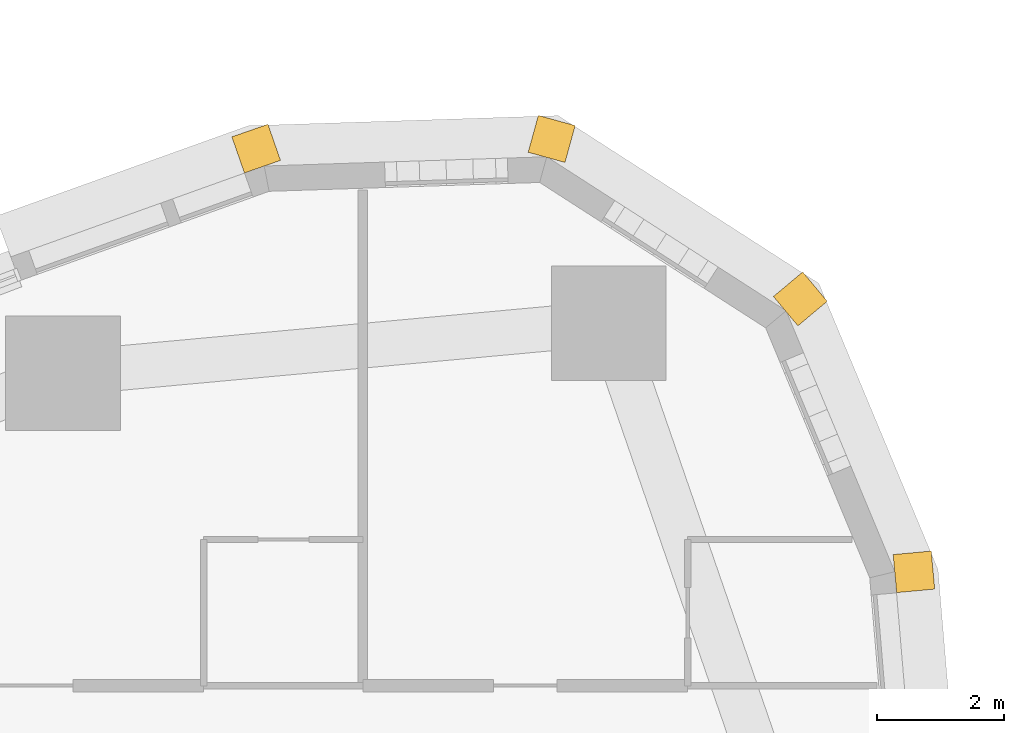
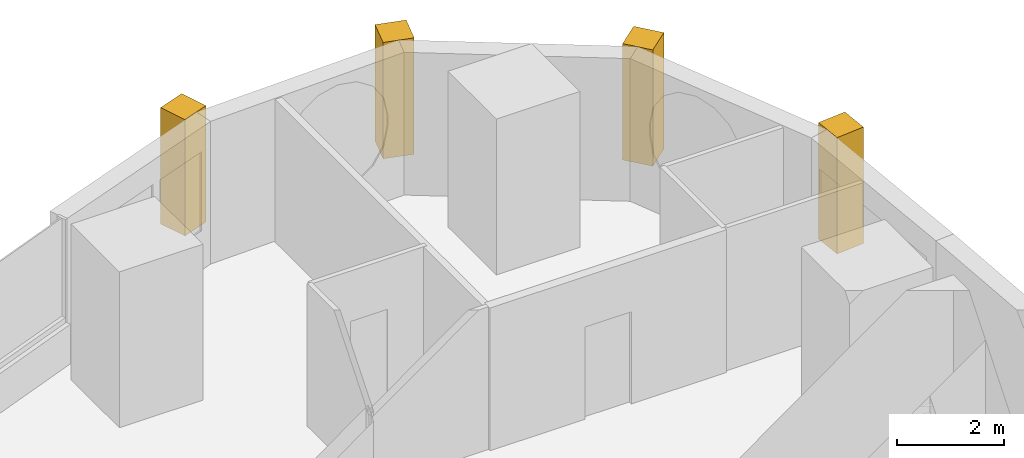
# One storey, part 19 of 19: 4 coverings.
"""IFC4 building model written with IfcOpenShell, lengths in metres."""

import ifcopenshell
import ifcopenshell.guid

model = None  # the IFC model being written
_history = None  # IfcOwnerHistory: only IFC2X3 demands one
_inside = {}  # id of a spatial element -> (the spatial element, [elements in it])
_under = {}  # id of a project, library or spatial element -> (it, [spatial elements below it])
_declared = {}  # id of a project -> (the project, [libraries it declares])
_typed = {}  # id of a type object -> (the type object, [elements of that type])
_made_of = {}  # id of a material, layer set ... -> (it, [elements and type objects made of it])


def new_model(schema):
    """Start an empty IFC model of exactly this schema.

    Asked for "IFC4X3", IfcOpenShell would pick the latest addendum, in which some entities
    have other attributes; the version numbers below select the first issue.
    IFC2X3 requires an IfcOwnerHistory on every rooted entity: one is made here for all.
    """
    global model, _history
    if schema == "IFC4X3":
        model = ifcopenshell.file(schema_version=(4, 3, 0, 0))
    else:
        model = ifcopenshell.file(schema=schema)
    _inside.clear()
    _under.clear()
    _declared.clear()
    _typed.clear()
    _made_of.clear()
    _history = None
    if model.schema == "IFC2X3":
        org = make("IfcOrganization", Name="unknown")
        user = make(
            "IfcPersonAndOrganization",
            ThePerson=make("IfcPerson", FamilyName="unknown"),
            TheOrganization=org,
        )
        app = make(
            "IfcApplication",
            ApplicationDeveloper=org,
            Version="unknown",
            ApplicationFullName="unknown",
            ApplicationIdentifier="unknown",
        )
        _history = make(
            "IfcOwnerHistory",
            OwningUser=user,
            OwningApplication=app,
            ChangeAction="ADDED",
            CreationDate=0,
        )
    return model


def make(cls, **values):
    """One entity of the class cls with the attributes given. An attribute that is None is left unset."""
    return model.create_entity(
        cls, **{name: value for name, value in values.items() if value is not None}
    )


def rooted(cls, **values):
    """An entity with a GlobalId (a new one), such as an element, a storey or a relation."""
    return make(cls, GlobalId=ifcopenshell.guid.new(), OwnerHistory=_history, **values)


def si_unit(unit_type, name, prefix=None):
    """IfcSIUnit, for example si_unit("LENGTHUNIT", "METRE", prefix="MILLI")."""
    return make("IfcSIUnit", UnitType=unit_type, Prefix=prefix, Name=name)


def assignment(units):
    """IfcUnitAssignment: the units of a project."""
    return None if units is None else make("IfcUnitAssignment", Units=units)


def point(xyz):
    """IfcCartesianPoint."""
    return None if xyz is None else make("IfcCartesianPoint", Coordinates=xyz)


def direction(xyz):
    """IfcDirection."""
    return None if xyz is None else make("IfcDirection", DirectionRatios=xyz)


def frame(location, z_axis=None, x_axis=None):
    """IfcAxis2Placement3D, a coordinate frame: its origin and axes. An axis left out is left unset."""
    return make(
        "IfcAxis2Placement3D",
        Location=point(location),
        Axis=direction(z_axis),
        RefDirection=direction(x_axis),
    )


def frame_2d(location, x_axis=None):
    """IfcAxis2Placement2D, a coordinate frame in the plane: its origin and x axis."""
    return make(
        "IfcAxis2Placement2D", Location=point(location), RefDirection=direction(x_axis)
    )


def origin():
    """The frame at (0, 0, 0) with its axes left unset."""
    return frame((0.0, 0.0, 0.0))


def place(relative_to, where):
    """IfcLocalPlacement: puts the frame where relative to a parent placement (None: the world)."""
    return make(
        "IfcLocalPlacement", PlacementRelTo=relative_to, RelativePlacement=where
    )


def context(
    kind, dimensions, precision=None, world=None, true_north=None, identifier=None
):
    """IfcGeometricRepresentationContext, for example the 3D "Model" context."""
    return make(
        "IfcGeometricRepresentationContext",
        ContextIdentifier=identifier,
        ContextType=kind,
        CoordinateSpaceDimension=dimensions,
        Precision=precision,
        WorldCoordinateSystem=world,
        TrueNorth=true_north,
    )


def subcontext(parent, identifier, kind, view, scale=None):
    """IfcGeometricRepresentationSubContext, for example "Body" below "Model"."""
    return make(
        "IfcGeometricRepresentationSubContext",
        ContextIdentifier=identifier,
        ContextType=kind,
        ParentContext=parent,
        TargetScale=scale,
        TargetView=view,
    )


def project(units=None, contexts=None):
    """IfcProject with its units and contexts."""
    return rooted(
        "IfcProject",
        Name="project",
        RepresentationContexts=contexts,
        UnitsInContext=assignment(units),
    )


def spatial(cls, under=None, at=None, **own):
    """A site, building, storey or space (cls), placed at a placement, below another one or the project."""
    s = rooted(cls, ObjectPlacement=at, **own)
    if under is not None:
        _under.setdefault(under.id(), (under, []))[1].append(s)
    return s


def profile(cls, at=None, kind="AREA", **sizes):
    """A parametric profile (cls). Its sizes go by their IFC names, for example OverallWidth=200.0."""
    return make(cls, ProfileType=kind, Position=at, **sizes)


def rectangle(**sizes):
    """IfcRectangleProfileDef."""
    return profile("IfcRectangleProfileDef", **sizes)


def extrude(swept, where, along, depth):
    """IfcExtrudedAreaSolid: the profile swept, set in the frame where, extruded along a direction by depth."""
    return make(
        "IfcExtrudedAreaSolid",
        SweptArea=swept,
        Position=where,
        ExtrudedDirection=direction(along),
        Depth=depth,
    )


def shape(context_of_items, identifier, shape_type, items):
    """IfcShapeRepresentation: the items that make up one representation, for example the "Body"."""
    return make(
        "IfcShapeRepresentation",
        ContextOfItems=context_of_items,
        RepresentationIdentifier=identifier,
        RepresentationType=shape_type,
        Items=items,
    )


def material(Name=None, Category=None):
    """IfcMaterial."""
    return make("IfcMaterial", Name=Name, Category=Category)


def layer(
    of_material, thickness, ventilated=None, Name=None, Category=None, Priority=None
):
    """IfcMaterialLayer: one layer of a wall or slab, of a material (None: an air gap)."""
    return make(
        "IfcMaterialLayer",
        Material=of_material,
        LayerThickness=thickness,
        IsVentilated=ventilated,
        Name=Name,
        Category=Category,
        Priority=Priority,
    )


def layer_set(layers, Name=None):
    """IfcMaterialLayerSet."""
    return make("IfcMaterialLayerSet", MaterialLayers=layers, LayerSetName=Name)


def made_of(thing, what):
    """Note that an element or type object is made of a material, layer set ...; save() writes the relation."""
    if what is not None:
        _made_of.setdefault(what.id(), (what, []))[1].append(thing)
    return thing


def type_object(cls, material=None, **own):
    """A type object (cls), such as IfcWallType, which elements share."""
    return made_of(rooted(cls, **own), material)


def element(
    cls,
    number,
    at=None,
    inside=None,
    cuts=None,
    type_object=None,
    material=None,
    context=None,
    identifier="Body",
    shape_type=None,
    held_by="IfcProductDefinitionShape",
    body=None,
    shapes=None,
    **own,
):
    """One element of the class cls, such as IfcWall. Its Tag is "e" and its number.

    at: its placement. inside: the storey or other place that contains it. cuts: it is an
    opening in that element (IfcRelVoidsElement). A single representation is given by context,
    identifier, shape_type and body (its items); several are given by shapes. held_by: the class
    of the entity that holds the representations. save() writes the other relations.
    """
    e = rooted(cls, Tag="e%d" % number, ObjectPlacement=at, **own)
    if body is not None:
        shapes = [shape(context, identifier, shape_type, body)]
    if shapes is not None:
        e.Representation = make(held_by, Representations=shapes)
    if inside is not None:
        _inside.setdefault(inside.id(), (inside, []))[1].append(e)
    if cuts is not None:
        rooted(
            "IfcRelVoidsElement", RelatingBuildingElement=cuts, RelatedOpeningElement=e
        )
    if type_object is not None:
        _typed.setdefault(type_object.id(), (type_object, []))[1].append(e)
    return made_of(e, material)


def aggregate(whole, parts):
    """IfcRelAggregates: a whole, such as a stair, and the parts it consists of."""
    return rooted("IfcRelAggregates", RelatingObject=whole, RelatedObjects=parts)


def save(model, path):
    """Write the relations noted so far, then the file.

    IfcRelAggregates (storeys below a building ...), IfcRelContainedInSpatialStructure (elements
    in a storey), IfcRelDefinesByType, IfcRelAssociatesMaterial and IfcRelDeclares: one each for
    every whole, place, type object, material and project.
    """
    for whole, parts in _under.values():
        aggregate(whole, parts)
    for where, things in _inside.values():
        rooted(
            "IfcRelContainedInSpatialStructure",
            RelatedElements=things,
            RelatingStructure=where,
        )
    for kind, things in _typed.values():
        rooted("IfcRelDefinesByType", RelatedObjects=things, RelatingType=kind)
    for what, things in _made_of.values():
        rooted("IfcRelAssociatesMaterial", RelatedObjects=things, RelatingMaterial=what)
    for by, libraries in _declared.values():
        rooted("IfcRelDeclares", RelatingContext=by, RelatedDefinitions=libraries)
    model.write(path)


model = new_model("IFC4")

# Units and contexts
model_context = context("Model", 3, precision=1e-05, world=origin(), true_north=direction((0.0, 1.0)))
body_context = subcontext(model_context, "Body", "Model", "MODEL_VIEW")
ifc_project = project(units=[si_unit("LENGTHUNIT", "METRE"), si_unit("AREAUNIT", "SQUARE_METRE"), si_unit("VOLUMEUNIT", "CUBIC_METRE"), si_unit("PLANEANGLEUNIT", "RADIAN"), si_unit("MASSUNIT", "GRAM", prefix="KILO")], contexts=[model_context])

# Site, building, storey
site_placement = place(None, origin())
site = spatial("IfcSite", under=ifc_project, at=site_placement, CompositionType="ELEMENT")
building_placement = place(site_placement, origin())
building = spatial("IfcBuilding", under=site, at=building_placement, Name="Ostrand Prow Hotel Tower", CompositionType="ELEMENT")
storey_placement = place(building_placement, frame((0.0, 0.0, 60.89990234375)))
storey = spatial("IfcBuildingStorey", under=building, at=storey_placement, Name="L13", CompositionType="ELEMENT", Elevation=60.89990234375)

# Coverings
ifc_material = material(Name="Limestone cladding", Category="masonry")
ifc_layer = layer(ifc_material, 0.60009765625)
ifc_layer_set = layer_set([ifc_layer], Name="Limestone cladding")
covering_type = type_object("IfcCoveringType", Name="Precast stone prow rib 600x600", PredefinedType="CLADDING", material=ifc_layer_set)
for number, where, z_axis, x_axis, name in (
    (1, (65.4580078125, 22.564453125, 0.60009765625), (0.0, 0.0, 1.0), (0.995724747837, 0.09237005221, 0.0), "Stone corner rib 16a"),
    (2, (63.74169921875, 26.6865234375, 0.60009765625), (0.0, 0.0, 1.0), (0.766985844654, 0.641664019639, 0.0), "Stone corner rib 17a"),
    (3, (59.98681640625, 29.1025390625, 0.60009765625), (0.0, 0.0, 1.0), (0.266111535611, 0.963942244439, 0.0), "Stone corner rib 18a"),
    (4, (55.524169921875, 28.956298828125, 0.60009765625), (0.0, 0.0, 1.0), (-0.328773122904, 0.94440893349, 0.0), "Stone corner rib 18b"),
):
    element("IfcCovering", number, at=place(storey_placement, frame(where, z_axis=z_axis, x_axis=x_axis)), inside=storey, type_object=covering_type, Name=name, PredefinedType="CLADDING", context=body_context, shape_type="SweptSolid", body=[
        extrude(rectangle(XDim=0.60009765625, YDim=0.60009765625, at=frame_2d((0.300048828125, 0.0))), origin(), (0.0, 0.0, 1.0), 2.64990234375),
    ])

save(model, "model.ifc")
